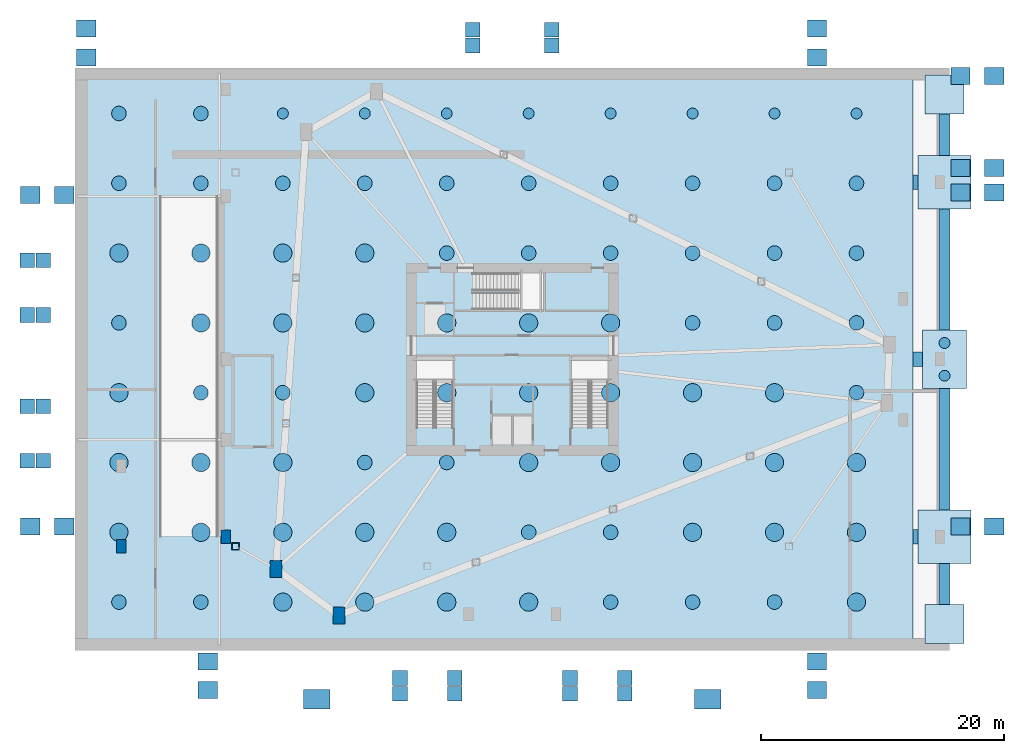
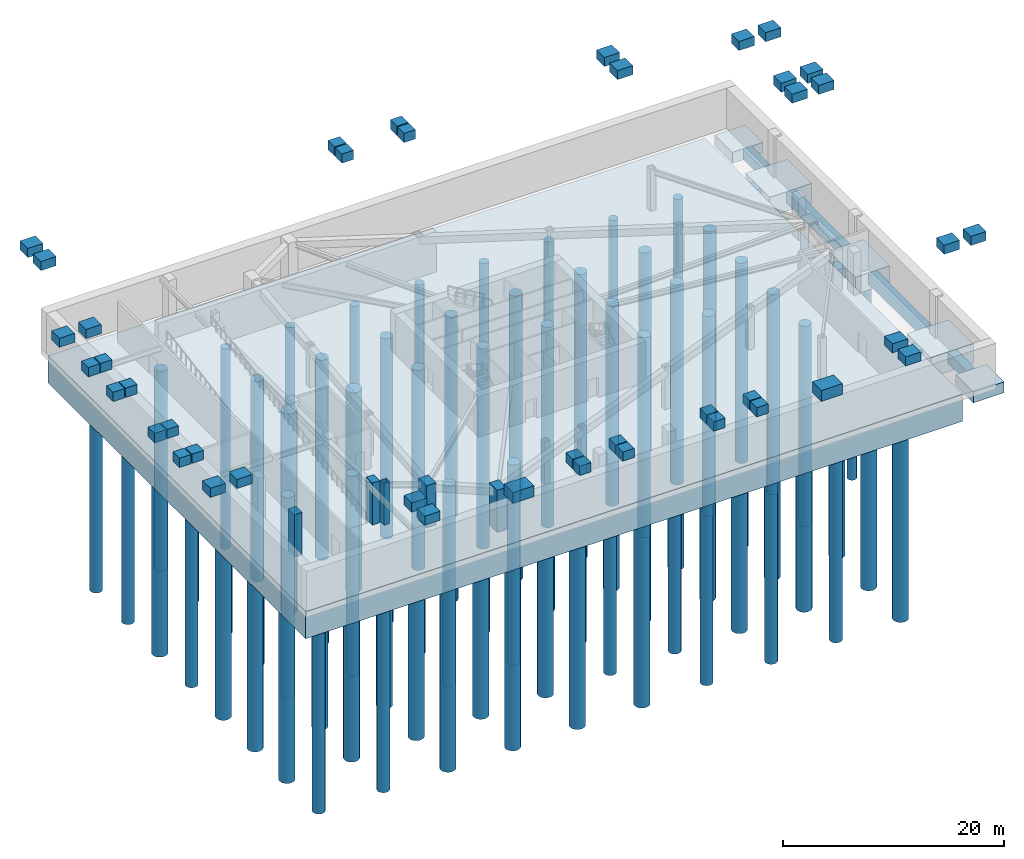
# One storey, part 1 of 9: 82 piles, 55 footings, 5 columns.
"""IFC4 building model written with IfcOpenShell, lengths in metres."""

from ifc_helpers import new_model, si_unit, direction, frame, origin, origin_2d, place, context, subcontext, project, spatial, rectangle, hollow_rectangle, circle, extrude, source, transform, mapped, material, material_profile, profile_set, type_object, element, save


model = new_model("IFC4")

# Units and contexts
model_context = context("Model", 3, precision=1e-05, world=origin(), true_north=direction((0.0, 1.0)))
body_context = subcontext(model_context, "Body", "Model", "MODEL_VIEW")
ifc_project = project(units=[si_unit("LENGTHUNIT", "METRE"), si_unit("AREAUNIT", "SQUARE_METRE"), si_unit("VOLUMEUNIT", "CUBIC_METRE"), si_unit("PLANEANGLEUNIT", "RADIAN"), si_unit("MASSUNIT", "GRAM", prefix="KILO")], contexts=[model_context])

# Site, building, storey
site_placement = place(None, origin())
site = spatial("IfcSite", under=ifc_project, at=site_placement, CompositionType="ELEMENT")
building_placement = place(site_placement, origin())
building = spatial("IfcBuilding", under=site, at=building_placement, Name="Olszyna Solenne Hotel", CompositionType="ELEMENT")
storey_placement = place(building_placement, frame((0.0, 0.0, -9.60009765625)))
storey = spatial("IfcBuildingStorey", under=building, at=storey_placement, Name="B02", CompositionType="ELEMENT", Elevation=-9.60009765625)

# Footings
ifc_material_1 = material(Name="Concrete C50/60", Category="concrete")
footing_type_1 = type_object("IfcFootingType", Name="FT-RAFT1", PredefinedType="PILE_CAP", material=ifc_material_1)
shared_shape_1 = source(origin(), body_context, "Body", "SweptSolid", [
    extrude(rectangle(XDim=68.60009765625, YDim=46.60009765625, at=origin_2d()), origin(), (0.0, 0.0, 1.0), 3.0),
])
footing_1_placement = place(storey_placement, frame((36.699951171875, 26.699951171875, -3.599853515625), z_axis=(0.0, 0.0, 1.0), x_axis=(1.0, 0.0, 0.0)))
element("IfcFooting", 1, at=footing_1_placement, inside=storey, type_object=footing_type_1, Name="Monolithic piled raft mat FT-RAFT1", PredefinedType="PILE_CAP", context=body_context, shape_type="MappedRepresentation", body=[
    mapped(shared_shape_1, transform((0.0, 0.0, 0.0), x_axis=(1.0, 0.0, 0.0), y_axis=(0.0, 1.0, 0.0), z_axis=(0.0, 0.0, 1.0), scale=1.0)),
])
ifc_material_2 = material(Name="Concrete C40/50", Category="concrete")
footing_type_2 = type_object("IfcFootingType", Name="FT-PC2", PredefinedType="PILE_CAP", material=ifc_material_2)
shared_shape_2 = source(origin(), body_context, "Body", "SweptSolid", [
    extrude(rectangle(XDim=3.60009765625, YDim=4.800048828125, at=origin_2d()), origin(), (0.0, 0.0, 1.0), 1.89990234375),
])
footing_2_placement = place(storey_placement, frame((73.60009765625, 26.60009765625, -2.499755859375), z_axis=(0.0, 0.0, 1.0), x_axis=(1.0, 0.0, 0.0)))
element("IfcFooting", 2, at=footing_2_placement, inside=storey, type_object=footing_type_2, Name="East podium 2-pile cap FT-PC2 Center", PredefinedType="PILE_CAP", context=body_context, shape_type="MappedRepresentation", body=[
    mapped(shared_shape_2, transform((0.0, 0.0, 0.0), x_axis=(1.0, 0.0, 0.0), y_axis=(0.0, 1.0, 0.0), z_axis=(0.0, 0.0, 1.0), scale=1.0)),
])
footing_type_3 = type_object("IfcFootingType", Name="FT-PC1", PredefinedType="PILE_CAP", material=ifc_material_2)
shared_shape_3 = source(origin(), body_context, "Body", "SweptSolid", [
    extrude(rectangle(XDim=4.39990234375, YDim=4.39990234375, at=origin_2d()), origin(), (0.0, 0.0, 1.0), 2.199951171875),
])
for number, where, z_axis, x_axis, name in (
    (3, (73.60009765625, 12.0, -2.7998046875), (0.0, 0.0, 1.0), (1.0, 0.0, 0.0), "East podium cap FT-PC1 South"),
    (4, (73.60009765625, 41.199951171875, -2.7998046875), (0.0, 0.0, 1.0), (1.0, 0.0, 0.0), "East podium cap FT-PC1 North"),
):
    element("IfcFooting", number, at=place(storey_placement, frame(where, z_axis=z_axis, x_axis=x_axis)), inside=storey, type_object=footing_type_3, Name=name, PredefinedType="PILE_CAP", context=body_context, shape_type="MappedRepresentation", body=[
        mapped(shared_shape_3, transform((0.0, 0.0, 0.0), x_axis=(1.0, 0.0, 0.0), y_axis=(0.0, 1.0, 0.0), z_axis=(0.0, 0.0, 1.0), scale=1.0)),
    ])
footing_type_4 = type_object("IfcFootingType", Name="FT-PD1", PredefinedType="PAD_FOOTING", material=ifc_material_2)
shared_shape_4 = source(origin(), body_context, "Body", "SweptSolid", [
    extrude(rectangle(XDim=3.199951171875, YDim=3.199951171875, at=origin_2d()), origin(), (0.0, 0.0, 1.0), 1.199951171875),
])
for number, where, z_axis, x_axis, name in (
    (5, (73.60009765625, 4.800048828125, -1.7998046875), (0.0, 0.0, 1.0), (1.0, 0.0, 0.0), "South-East perimeter pad footing FT-PD1"),
    (6, (73.60009765625, 48.39990234375, -1.7998046875), (0.0, 0.0, 1.0), (1.0, 0.0, 0.0), "North-East perimeter pad footing FT-PD1"),
):
    element("IfcFooting", number, at=place(storey_placement, frame(where, z_axis=z_axis, x_axis=x_axis)), inside=storey, type_object=footing_type_4, Name=name, PredefinedType="PAD_FOOTING", context=body_context, shape_type="MappedRepresentation", body=[
        mapped(shared_shape_4, transform((0.0, 0.0, 0.0), x_axis=(1.0, 0.0, 0.0), y_axis=(0.0, 1.0, 0.0), z_axis=(0.0, 0.0, 1.0), scale=1.0)),
    ])
footing_type_5 = type_object("IfcFootingType", Name="FT-GB1", PredefinedType="FOOTING_BEAM", material=ifc_material_2)
shared_shape_5 = source(origin(), body_context, "Body", "SweptSolid", [
    extrude(rectangle(XDim=0.800048828125, YDim=1.199951171875, at=origin_2d()), origin(), (0.0, 0.0, 1.0), 1.39990234375),
])
footing_3_placement = place(storey_placement, frame((71.39990234375, 26.60009765625, -1.999755859375), z_axis=(0.0, 0.0, 1.0), x_axis=(1.0, 0.0, 0.0)))
element("IfcFooting", 7, at=footing_3_placement, inside=storey, type_object=footing_type_5, Name="Primary foundation tie beam FT-GB1", PredefinedType="FOOTING_BEAM", context=body_context, shape_type="MappedRepresentation", body=[
    mapped(shared_shape_5, transform((0.0, 0.0, 0.0), x_axis=(1.0, 0.0, 0.0), y_axis=(0.0, 1.0, 0.0), z_axis=(0.0, 0.0, 1.0), scale=1.0)),
])
shared_shape_6 = source(origin(), body_context, "Body", "SweptSolid", [
    extrude(rectangle(XDim=0.39990234375, YDim=1.199951171875, at=origin_2d()), origin(), (0.0, 0.0, 1.0), 1.39990234375),
])
for number, where, z_axis, x_axis, name in (
    (8, (71.199951171875, 12.0, -1.999755859375), (0.0, 0.0, 1.0), (1.0, 0.0, 0.0), "Primary foundation tie beam FT-GB1"),
    (9, (71.199951171875, 41.199951171875, -1.999755859375), (0.0, 0.0, 1.0), (1.0, 0.0, 0.0), "Primary foundation tie beam FT-GB1"),
):
    element("IfcFooting", number, at=place(storey_placement, frame(where, z_axis=z_axis, x_axis=x_axis)), inside=storey, type_object=footing_type_5, Name=name, PredefinedType="FOOTING_BEAM", context=body_context, shape_type="MappedRepresentation", body=[
        mapped(shared_shape_6, transform((0.0, 0.0, 0.0), x_axis=(1.0, 0.0, 0.0), y_axis=(0.0, 1.0, 0.0), z_axis=(0.0, 0.0, 1.0), scale=1.0)),
    ])
footing_type_6 = type_object("IfcFootingType", Name="FT-GB2", PredefinedType="FOOTING_BEAM", material=ifc_material_2)
shared_shape_7 = source(origin(), body_context, "Body", "SweptSolid", [
    extrude(rectangle(XDim=0.89990234375, YDim=3.39990234375, at=origin_2d()), origin(), (0.0, 0.0, 1.0), 1.199951171875),
])
for number, where, z_axis, x_axis, name in (
    (10, (73.60009765625, 8.10009765625, -1.7998046875), (0.0, 0.0, 1.0), (1.0, 0.0, 0.0), "Perimeter foundation ground beam FT-GB2"),
    (11, (73.60009765625, 45.10009765625, -1.7998046875), (0.0, 0.0, 1.0), (1.0, 0.0, 0.0), "Perimeter foundation ground beam FT-GB2"),
):
    element("IfcFooting", number, at=place(storey_placement, frame(where, z_axis=z_axis, x_axis=x_axis)), inside=storey, type_object=footing_type_6, Name=name, PredefinedType="FOOTING_BEAM", context=body_context, shape_type="MappedRepresentation", body=[
        mapped(shared_shape_7, transform((0.0, 0.0, 0.0), x_axis=(1.0, 0.0, 0.0), y_axis=(0.0, 1.0, 0.0), z_axis=(0.0, 0.0, 1.0), scale=1.0)),
    ])
shared_shape_8 = source(origin(), body_context, "Body", "SweptSolid", [
    extrude(rectangle(XDim=0.89990234375, YDim=10.0, at=origin_2d()), origin(), (0.0, 0.0, 1.0), 1.199951171875),
])
for number, where, z_axis, x_axis, name in (
    (12, (73.60009765625, 19.199951171875, -1.7998046875), (0.0, 0.0, 1.0), (1.0, 0.0, 0.0), "Perimeter foundation ground beam FT-GB2"),
    (13, (73.60009765625, 34.0, -1.7998046875), (0.0, 0.0, 1.0), (1.0, 0.0, 0.0), "Perimeter foundation ground beam FT-GB2"),
):
    element("IfcFooting", number, at=place(storey_placement, frame(where, z_axis=z_axis, x_axis=x_axis)), inside=storey, type_object=footing_type_6, Name=name, PredefinedType="FOOTING_BEAM", context=body_context, shape_type="MappedRepresentation", body=[
        mapped(shared_shape_8, transform((0.0, 0.0, 0.0), x_axis=(1.0, 0.0, 0.0), y_axis=(0.0, 1.0, 0.0), z_axis=(0.0, 0.0, 1.0), scale=1.0)),
    ])

# Piles
ifc_material_profile_1 = material_profile(ifc_material_2, circle(Radius=0.60009765625, at=origin_2d()), Name="BORED PILE 1200", Category="load-bearing")
ifc_profile_set_1 = profile_set([ifc_material_profile_1], Name="Concrete C40/50")
pile_type_1 = type_object("IfcPileType", Name="PL-1200", PredefinedType="BORED", material=ifc_profile_set_1)
shared_shape_9 = source(origin(), body_context, "Body", "SweptSolid", [
    extrude(circle(Radius=0.60009765625, at=origin_2d()), origin(), (0.0, 0.0, 1.0), 22.10009765625),
])
for number, where, z_axis, x_axis, name in (
    (14, (5.60009765625, 6.60009765625, -3.5), (0.0, 0.0, -1.0), (1.0, 0.0, 0.0), "Bored concrete pile PL-1200 P-001"),
    (15, (12.35009765625, 6.60009765625, -3.5), (0.0, 0.0, -1.0), (1.0, 0.0, 0.0), "Bored concrete pile PL-1200 P-002"),
    (16, (46.10009765625, 6.60009765625, -3.5), (0.0, 0.0, -1.0), (1.0, 0.0, 0.0), "Bored concrete pile PL-1200 P-007"),
    (17, (52.85009765625, 6.60009765625, -3.5), (0.0, 0.0, -1.0), (1.0, 0.0, 0.0), "Bored concrete pile PL-1200 P-008"),
    (18, (59.60009765625, 6.60009765625, -3.5), (0.0, 0.0, -1.0), (1.0, 0.0, 0.0), "Bored concrete pile PL-1200 P-009"),
    (19, (39.35009765625, 12.35009765625, -3.5), (0.0, 0.0, -1.0), (1.0, 0.0, 0.0), "Bored concrete pile PL-1200 P-016"),
    (20, (46.10009765625, 12.35009765625, -3.5), (0.0, 0.0, -1.0), (1.0, 0.0, 0.0), "Bored concrete pile PL-1200 P-017"),
    (21, (25.85009765625, 18.10009765625, -3.5), (0.0, 0.0, -1.0), (1.0, 0.0, 0.0), "Bored concrete pile PL-1200 P-024"),
    (22, (32.60009765625, 18.10009765625, -3.5), (0.0, 0.0, -1.0), (1.0, 0.0, 0.0), "Bored concrete pile PL-1200 P-025"),
    (23, (12.35009765625, 23.85009765625, -3.5), (0.0, 0.0, -1.0), (1.0, 0.0, 0.0), "Bored concrete pile PL-1200 P-032"),
    (24, (19.10009765625, 23.85009765625, -3.5), (0.0, 0.0, -1.0), (1.0, 0.0, 0.0), "Bored concrete pile PL-1200 P-033"),
    (25, (66.35009765625, 23.85009765625, -3.5), (0.0, 0.0, -1.0), (1.0, 0.0, 0.0), "Bored concrete pile PL-1200 P-040"),
    (26, (5.60009765625, 29.60009765625, -3.5), (0.0, 0.0, -1.0), (1.0, 0.0, 0.0), "Bored concrete pile PL-1200 P-041"),
    (27, (52.85009765625, 29.60009765625, -3.5), (0.0, 0.0, -1.0), (1.0, 0.0, 0.0), "Bored concrete pile PL-1200 P-048"),
    (28, (59.60009765625, 29.60009765625, -3.5), (0.0, 0.0, -1.0), (1.0, 0.0, 0.0), "Bored concrete pile PL-1200 P-049"),
    (29, (66.35009765625, 29.60009765625, -3.5), (0.0, 0.0, -1.0), (1.0, 0.0, 0.0), "Bored concrete pile PL-1200 P-050"),
    (30, (32.60009765625, 35.35009765625, -3.5), (0.0, 0.0, -1.0), (1.0, 0.0, 0.0), "Bored concrete pile PL-1200 P-055"),
    (31, (39.35009765625, 35.35009765625, -3.5), (0.0, 0.0, -1.0), (1.0, 0.0, 0.0), "Bored concrete pile PL-1200 P-056"),
    (32, (46.10009765625, 35.35009765625, -3.5), (0.0, 0.0, -1.0), (1.0, 0.0, 0.0), "Bored concrete pile PL-1200 P-057"),
    (33, (52.85009765625, 35.35009765625, -3.5), (0.0, 0.0, -1.0), (1.0, 0.0, 0.0), "Bored concrete pile PL-1200 P-058"),
    (34, (59.60009765625, 35.35009765625, -3.5), (0.0, 0.0, -1.0), (1.0, 0.0, 0.0), "Bored concrete pile PL-1200 P-059"),
    (35, (66.35009765625, 35.35009765625, -3.5), (0.0, 0.0, -1.0), (1.0, 0.0, 0.0), "Bored concrete pile PL-1200 P-060"),
    (36, (5.60009765625, 41.10009765625, -3.5), (0.0, 0.0, -1.0), (1.0, 0.0, 0.0), "Bored concrete pile PL-1200 P-061"),
    (37, (12.35009765625, 41.10009765625, -3.5), (0.0, 0.0, -1.0), (1.0, 0.0, 0.0), "Bored concrete pile PL-1200 P-062"),
    (38, (19.10009765625, 41.10009765625, -3.5), (0.0, 0.0, -1.0), (1.0, 0.0, 0.0), "Bored concrete pile PL-1200 P-063"),
    (39, (25.85009765625, 41.10009765625, -3.5), (0.0, 0.0, -1.0), (1.0, 0.0, 0.0), "Bored concrete pile PL-1200 P-064"),
    (40, (32.60009765625, 41.10009765625, -3.5), (0.0, 0.0, -1.0), (1.0, 0.0, 0.0), "Bored concrete pile PL-1200 P-065"),
    (41, (39.35009765625, 41.10009765625, -3.5), (0.0, 0.0, -1.0), (1.0, 0.0, 0.0), "Bored concrete pile PL-1200 P-066"),
    (42, (46.10009765625, 41.10009765625, -3.5), (0.0, 0.0, -1.0), (1.0, 0.0, 0.0), "Bored concrete pile PL-1200 P-067"),
    (43, (52.85009765625, 41.10009765625, -3.5), (0.0, 0.0, -1.0), (1.0, 0.0, 0.0), "Bored concrete pile PL-1200 P-068"),
    (44, (59.60009765625, 41.10009765625, -3.5), (0.0, 0.0, -1.0), (1.0, 0.0, 0.0), "Bored concrete pile PL-1200 P-069"),
    (45, (66.35009765625, 41.10009765625, -3.5), (0.0, 0.0, -1.0), (1.0, 0.0, 0.0), "Bored concrete pile PL-1200 P-070"),
    (46, (5.60009765625, 46.85009765625, -3.5), (0.0, 0.0, -1.0), (1.0, 0.0, 0.0), "Bored concrete pile PL-1200 P-071"),
    (47, (12.35009765625, 46.85009765625, -3.5), (0.0, 0.0, -1.0), (1.0, 0.0, 0.0), "Bored concrete pile PL-1200 P-072"),
):
    element("IfcPile", number, at=place(storey_placement, frame(where, z_axis=z_axis, x_axis=x_axis)), inside=storey, type_object=pile_type_1, Name=name, PredefinedType="BORED", context=body_context, shape_type="MappedRepresentation", body=[
        mapped(shared_shape_9, transform((0.0, 0.0, 0.0), x_axis=(1.0, 0.0, 0.0), y_axis=(0.0, 1.0, 0.0), z_axis=(0.0, 0.0, 1.0), scale=1.0)),
    ])
ifc_material_profile_2 = material_profile(ifc_material_2, circle(Radius=0.75, at=origin_2d()), Name="BORED PILE 1500", Category="load-bearing")
ifc_profile_set_2 = profile_set([ifc_material_profile_2], Name="Concrete C40/50")
pile_type_2 = type_object("IfcPileType", Name="PL-1500", PredefinedType="BORED", material=ifc_profile_set_2)
shared_shape_10 = source(origin(), body_context, "Body", "SweptSolid", [
    extrude(circle(Radius=0.75, at=origin_2d()), origin(), (0.0, 0.0, 1.0), 22.10009765625),
])
for number, where, z_axis, x_axis, name in (
    (48, (19.10009765625, 6.60009765625, -3.5), (0.0, 0.0, -1.0), (1.0, 0.0, 0.0), "Bored concrete pile PL-1500 P-003"),
    (49, (25.85009765625, 6.60009765625, -3.5), (0.0, 0.0, -1.0), (1.0, 0.0, 0.0), "Bored concrete pile PL-1500 P-004"),
    (50, (32.60009765625, 6.60009765625, -3.5), (0.0, 0.0, -1.0), (1.0, 0.0, 0.0), "Bored concrete pile PL-1500 P-005"),
    (51, (39.35009765625, 6.60009765625, -3.5), (0.0, 0.0, -1.0), (1.0, 0.0, 0.0), "Bored concrete pile PL-1500 P-006"),
    (52, (66.35009765625, 6.60009765625, -3.5), (0.0, 0.0, -1.0), (1.0, 0.0, 0.0), "Bored concrete pile PL-1500 P-010"),
    (53, (5.60009765625, 12.35009765625, -3.5), (0.0, 0.0, -1.0), (1.0, 0.0, 0.0), "Bored concrete pile PL-1500 P-011"),
    (54, (12.35009765625, 12.35009765625, -3.5), (0.0, 0.0, -1.0), (1.0, 0.0, 0.0), "Bored concrete pile PL-1500 P-012"),
    (55, (19.10009765625, 12.35009765625, -3.5), (0.0, 0.0, -1.0), (1.0, 0.0, 0.0), "Bored concrete pile PL-1500 P-013"),
    (56, (25.85009765625, 12.35009765625, -3.5), (0.0, 0.0, -1.0), (1.0, 0.0, 0.0), "Bored concrete pile PL-1500 P-014"),
    (57, (32.60009765625, 12.35009765625, -3.5), (0.0, 0.0, -1.0), (1.0, 0.0, 0.0), "Bored concrete pile PL-1500 P-015"),
    (58, (52.85009765625, 12.35009765625, -3.5), (0.0, 0.0, -1.0), (1.0, 0.0, 0.0), "Bored concrete pile PL-1500 P-018"),
    (59, (59.60009765625, 12.35009765625, -3.5), (0.0, 0.0, -1.0), (1.0, 0.0, 0.0), "Bored concrete pile PL-1500 P-019"),
    (60, (66.35009765625, 12.35009765625, -3.5), (0.0, 0.0, -1.0), (1.0, 0.0, 0.0), "Bored concrete pile PL-1500 P-020"),
    (61, (5.60009765625, 18.10009765625, -3.5), (0.0, 0.0, -1.0), (1.0, 0.0, 0.0), "Bored concrete pile PL-1500 P-021"),
    (62, (12.35009765625, 18.10009765625, -3.5), (0.0, 0.0, -1.0), (1.0, 0.0, 0.0), "Bored concrete pile PL-1500 P-022"),
    (63, (19.10009765625, 18.10009765625, -3.5), (0.0, 0.0, -1.0), (1.0, 0.0, 0.0), "Bored concrete pile PL-1500 P-023"),
    (64, (39.35009765625, 18.10009765625, -3.5), (0.0, 0.0, -1.0), (1.0, 0.0, 0.0), "Bored concrete pile PL-1500 P-026"),
    (65, (46.10009765625, 18.10009765625, -3.5), (0.0, 0.0, -1.0), (1.0, 0.0, 0.0), "Bored concrete pile PL-1500 P-027"),
    (66, (52.85009765625, 18.10009765625, -3.5), (0.0, 0.0, -1.0), (1.0, 0.0, 0.0), "Bored concrete pile PL-1500 P-028"),
    (67, (59.60009765625, 18.10009765625, -3.5), (0.0, 0.0, -1.0), (1.0, 0.0, 0.0), "Bored concrete pile PL-1500 P-029"),
    (68, (66.35009765625, 18.10009765625, -3.5), (0.0, 0.0, -1.0), (1.0, 0.0, 0.0), "Bored concrete pile PL-1500 P-030"),
    (69, (5.60009765625, 23.85009765625, -3.5), (0.0, 0.0, -1.0), (1.0, 0.0, 0.0), "Bored concrete pile PL-1500 P-031"),
    (70, (25.85009765625, 23.85009765625, -3.5), (0.0, 0.0, -1.0), (1.0, 0.0, 0.0), "Bored concrete pile PL-1500 P-034"),
    (71, (32.60009765625, 23.85009765625, -3.5), (0.0, 0.0, -1.0), (1.0, 0.0, 0.0), "Bored concrete pile PL-1500 P-035"),
    (72, (39.35009765625, 23.85009765625, -3.5), (0.0, 0.0, -1.0), (1.0, 0.0, 0.0), "Bored concrete pile PL-1500 P-036"),
    (73, (46.10009765625, 23.85009765625, -3.5), (0.0, 0.0, -1.0), (1.0, 0.0, 0.0), "Bored concrete pile PL-1500 P-037"),
    (74, (52.85009765625, 23.85009765625, -3.5), (0.0, 0.0, -1.0), (1.0, 0.0, 0.0), "Bored concrete pile PL-1500 P-038"),
    (75, (59.60009765625, 23.85009765625, -3.5), (0.0, 0.0, -1.0), (1.0, 0.0, 0.0), "Bored concrete pile PL-1500 P-039"),
    (76, (12.35009765625, 29.60009765625, -3.5), (0.0, 0.0, -1.0), (1.0, 0.0, 0.0), "Bored concrete pile PL-1500 P-042"),
    (77, (19.10009765625, 29.60009765625, -3.5), (0.0, 0.0, -1.0), (1.0, 0.0, 0.0), "Bored concrete pile PL-1500 P-043"),
    (78, (25.85009765625, 29.60009765625, -3.5), (0.0, 0.0, -1.0), (1.0, 0.0, 0.0), "Bored concrete pile PL-1500 P-044"),
    (79, (32.60009765625, 29.60009765625, -3.5), (0.0, 0.0, -1.0), (1.0, 0.0, 0.0), "Bored concrete pile PL-1500 P-045"),
    (80, (39.35009765625, 29.60009765625, -3.5), (0.0, 0.0, -1.0), (1.0, 0.0, 0.0), "Bored concrete pile PL-1500 P-046"),
    (81, (46.10009765625, 29.60009765625, -3.5), (0.0, 0.0, -1.0), (1.0, 0.0, 0.0), "Bored concrete pile PL-1500 P-047"),
    (82, (5.60009765625, 35.35009765625, -3.5), (0.0, 0.0, -1.0), (1.0, 0.0, 0.0), "Bored concrete pile PL-1500 P-051"),
    (83, (12.35009765625, 35.35009765625, -3.5), (0.0, 0.0, -1.0), (1.0, 0.0, 0.0), "Bored concrete pile PL-1500 P-052"),
    (84, (19.10009765625, 35.35009765625, -3.5), (0.0, 0.0, -1.0), (1.0, 0.0, 0.0), "Bored concrete pile PL-1500 P-053"),
    (85, (25.85009765625, 35.35009765625, -3.5), (0.0, 0.0, -1.0), (1.0, 0.0, 0.0), "Bored concrete pile PL-1500 P-054"),
):
    element("IfcPile", number, at=place(storey_placement, frame(where, z_axis=z_axis, x_axis=x_axis)), inside=storey, type_object=pile_type_2, Name=name, PredefinedType="BORED", context=body_context, shape_type="MappedRepresentation", body=[
        mapped(shared_shape_10, transform((0.0, 0.0, 0.0), x_axis=(1.0, 0.0, 0.0), y_axis=(0.0, 1.0, 0.0), z_axis=(0.0, 0.0, 1.0), scale=1.0)),
    ])
ifc_material_profile_3 = material_profile(ifc_material_2, circle(Radius=0.449951171875, at=origin_2d()), Name="BORED PILE 900", Category="load-bearing")
ifc_profile_set_3 = profile_set([ifc_material_profile_3], Name="Concrete C40/50")
pile_type_3 = type_object("IfcPileType", Name="PL-900", PredefinedType="BORED", material=ifc_profile_set_3)
shared_shape_11 = source(origin(), body_context, "Body", "SweptSolid", [
    extrude(circle(Radius=0.449951171875, at=origin_2d()), origin(), (0.0, 0.0, 1.0), 22.10009765625),
])
for number, where, z_axis, x_axis, name in (
    (86, (19.10009765625, 46.85009765625, -3.5), (0.0, 0.0, -1.0), (1.0, 0.0, 0.0), "Bored concrete pile PL-900 P-073"),
    (87, (25.85009765625, 46.85009765625, -3.5), (0.0, 0.0, -1.0), (1.0, 0.0, 0.0), "Bored concrete pile PL-900 P-074"),
    (88, (32.60009765625, 46.85009765625, -3.5), (0.0, 0.0, -1.0), (1.0, 0.0, 0.0), "Bored concrete pile PL-900 P-075"),
    (89, (39.35009765625, 46.85009765625, -3.5), (0.0, 0.0, -1.0), (1.0, 0.0, 0.0), "Bored concrete pile PL-900 P-076"),
    (90, (46.10009765625, 46.85009765625, -3.5), (0.0, 0.0, -1.0), (1.0, 0.0, 0.0), "Bored concrete pile PL-900 P-077"),
    (91, (52.85009765625, 46.85009765625, -3.5), (0.0, 0.0, -1.0), (1.0, 0.0, 0.0), "Bored concrete pile PL-900 P-078"),
    (92, (59.60009765625, 46.85009765625, -3.5), (0.0, 0.0, -1.0), (1.0, 0.0, 0.0), "Bored concrete pile PL-900 P-079"),
    (93, (66.35009765625, 46.85009765625, -3.5), (0.0, 0.0, -1.0), (1.0, 0.0, 0.0), "Bored concrete pile PL-900 P-080"),
):
    element("IfcPile", number, at=place(storey_placement, frame(where, z_axis=z_axis, x_axis=x_axis)), inside=storey, type_object=pile_type_3, Name=name, PredefinedType="BORED", context=body_context, shape_type="MappedRepresentation", body=[
        mapped(shared_shape_11, transform((0.0, 0.0, 0.0), x_axis=(1.0, 0.0, 0.0), y_axis=(0.0, 1.0, 0.0), z_axis=(0.0, 0.0, 1.0), scale=1.0)),
    ])
shared_shape_12 = source(origin(), body_context, "Body", "SweptSolid", [
    extrude(circle(Radius=0.449951171875, at=origin_2d()), origin(), (0.0, 0.0, 1.0), 23.199951171875),
])
for number, where, z_axis, x_axis, name in (
    (94, (73.60009765625, 25.25, -2.39990234375), (0.0, 0.0, -1.0), (1.0, 0.0, 0.0), "Bored concrete pile PL-900 P-081"),
    (95, (73.60009765625, 27.949951171875, -2.39990234375), (0.0, 0.0, -1.0), (1.0, 0.0, 0.0), "Bored concrete pile PL-900 P-082"),
):
    element("IfcPile", number, at=place(storey_placement, frame(where, z_axis=z_axis, x_axis=x_axis)), inside=storey, type_object=pile_type_3, Name=name, PredefinedType="BORED", context=body_context, shape_type="MappedRepresentation", body=[
        mapped(shared_shape_12, transform((0.0, 0.0, 0.0), x_axis=(1.0, 0.0, 0.0), y_axis=(0.0, 1.0, 0.0), z_axis=(0.0, 0.0, 1.0), scale=1.0)),
    ])

# Footings
footing_type_7 = type_object("IfcFootingType", Name="FT-PD2", PredefinedType="PAD_FOOTING", material=ifc_material_2)
shared_shape_13 = source(origin(), body_context, "Body", "SweptSolid", [
    extrude(rectangle(XDim=2.199951171875, YDim=1.60009765625, at=origin_2d()), origin(), (0.0, 0.0, 1.0), 1.199951171875),
])
for number, where, z_axis, x_axis, name in (
    (96, (21.89990234375, -1.39990234375, 8.2802734375), (0.0, 0.0, 1.0), (1.0, 0.0, 0.0), "Ramp RFL-P01 toe pad footing"),
    (97, (54.10009765625, -1.39990234375, 8.2802734375), (0.0, 0.0, 1.0), (1.0, 0.0, 0.0), "Ramp RFL-P02 toe pad footing"),
):
    element("IfcFooting", number, at=place(storey_placement, frame(where, z_axis=z_axis, x_axis=x_axis)), inside=storey, type_object=footing_type_7, Name=name, PredefinedType="PAD_FOOTING", context=body_context, shape_type="MappedRepresentation", body=[
        mapped(shared_shape_13, transform((0.0, 0.0, 0.0), x_axis=(1.0, 0.0, 0.0), y_axis=(0.0, 1.0, 0.0), z_axis=(0.0, 0.0, 1.0), scale=1.0)),
    ])
shared_shape_14 = source(origin(), body_context, "Body", "SweptSolid", [
    extrude(rectangle(XDim=1.60009765625, YDim=1.39990234375, at=origin_2d()), origin(), (0.0, 0.0, 1.0), 1.0),
])
for number, where, z_axis, x_axis, name in (
    (98, (74.919921875, 42.35009765625, 8.420166015625), (0.0, 0.0, 1.0), (1.0, 0.0, 0.0), "Plaza grade pad footing SL-L00-PV1"),
    (99, (74.919921875, 49.949951171875, 8.420166015625), (0.0, 0.0, 1.0), (1.0, 0.0, 0.0), "Plaza grade pad footing SL-L00-PV1"),
    (100, (77.699951171875, 42.35009765625, 8.420166015625), (0.0, 0.0, 1.0), (1.0, 0.0, 0.0), "Plaza grade pad footing SL-L00-PV1"),
    (101, (77.699951171875, 49.949951171875, 8.420166015625), (0.0, 0.0, 1.0), (1.0, 0.0, 0.0), "Plaza grade pad footing SL-L00-PV1"),
    (102, (12.89990234375, -0.64990234375, 8.420166015625), (0.0, 0.0, 1.0), (1.0, 0.0, 0.0), "Plaza grade pad footing SL-L00-PV2"),
    (103, (12.89990234375, 1.72998046875, 8.420166015625), (0.0, 0.0, 1.0), (1.0, 0.0, 0.0), "Plaza grade pad footing SL-L00-PV2"),
    (104, (63.10009765625, -0.64990234375, 8.420166015625), (0.0, 0.0, 1.0), (1.0, 0.0, 0.0), "Plaza grade pad footing SL-L00-PV2"),
    (105, (63.10009765625, 1.72998046875, 8.420166015625), (0.0, 0.0, 1.0), (1.0, 0.0, 0.0), "Plaza grade pad footing SL-L00-PV2"),
    (106, (2.89990234375, 51.469970703125, 8.420166015625), (0.0, 0.0, 1.0), (1.0, 0.0, 0.0), "Plaza grade pad footing SL-L00-PV3"),
    (107, (2.89990234375, 53.85009765625, 8.420166015625), (0.0, 0.0, 1.0), (1.0, 0.0, 0.0), "Plaza grade pad footing SL-L00-PV3"),
    (108, (63.10009765625, 51.469970703125, 8.420166015625), (0.0, 0.0, 1.0), (1.0, 0.0, 0.0), "Plaza grade pad footing SL-L00-PV3"),
    (109, (63.10009765625, 53.85009765625, 8.420166015625), (0.0, 0.0, 1.0), (1.0, 0.0, 0.0), "Plaza grade pad footing SL-L00-PV3"),
    (110, (-1.699951171875, 12.85009765625, 8.420166015625), (0.0, 0.0, 1.0), (1.0, 0.0, 0.0), "Plaza grade pad footing SL-L00-PV4"),
    (111, (-1.699951171875, 40.14990234375, 8.420166015625), (0.0, 0.0, 1.0), (1.0, 0.0, 0.0), "Plaza grade pad footing SL-L00-PV4"),
    (112, (1.080078125, 12.85009765625, 8.420166015625), (0.0, 0.0, 1.0), (1.0, 0.0, 0.0), "Plaza grade pad footing SL-L00-PV4"),
    (113, (1.080078125, 40.14990234375, 8.420166015625), (0.0, 0.0, 1.0), (1.0, 0.0, 0.0), "Plaza grade pad footing SL-L00-PV4"),
    (114, (74.919921875, 12.85009765625, 8.420166015625), (0.0, 0.0, 1.0), (1.0, 0.0, 0.0), "Plaza grade pad footing SL-L00-PV5"),
    (115, (74.919921875, 40.35009765625, 8.420166015625), (0.0, 0.0, 1.0), (1.0, 0.0, 0.0), "Plaza grade pad footing SL-L00-PV5"),
    (116, (77.699951171875, 12.85009765625, 8.420166015625), (0.0, 0.0, 1.0), (1.0, 0.0, 0.0), "Plaza grade pad footing SL-L00-PV5"),
    (117, (77.699951171875, 40.35009765625, 8.420166015625), (0.0, 0.0, 1.0), (1.0, 0.0, 0.0), "Plaza grade pad footing SL-L00-PV5"),
):
    element("IfcFooting", number, at=place(storey_placement, frame(where, z_axis=z_axis, x_axis=x_axis)), inside=storey, type_object=footing_type_7, Name=name, PredefinedType="PAD_FOOTING", context=body_context, shape_type="MappedRepresentation", body=[
        mapped(shared_shape_14, transform((0.0, 0.0, 0.0), x_axis=(1.0, 0.0, 0.0), y_axis=(0.0, 1.0, 0.0), z_axis=(0.0, 0.0, 1.0), scale=1.0)),
    ])
shared_shape_15 = source(origin(), body_context, "Body", "SweptSolid", [
    extrude(rectangle(XDim=1.199951171875, YDim=1.199951171875, at=origin_2d()), origin(), (0.0, 0.0, 1.0), 1.02001953125),
])
for number, where, z_axis, x_axis, name in (
    (118, (28.75, -0.949951171875, 8.400146484375), (0.0, 0.0, 1.0), (1.0, 0.0, 0.0), "Canopy column footing CN-S1-1"),
    (119, (33.25, -0.949951171875, 8.400146484375), (0.0, 0.0, 1.0), (1.0, 0.0, 0.0), "Canopy column footing CN-S1-2"),
    (120, (33.25, 0.35009765625, 8.400146484375), (0.0, 0.0, 1.0), (1.0, 0.0, 0.0), "Canopy column footing CN-S1-3"),
    (121, (28.75, 0.35009765625, 8.400146484375), (0.0, 0.0, 1.0), (1.0, 0.0, 0.0), "Canopy column footing CN-S1-4"),
    (122, (42.75, -0.949951171875, 8.400146484375), (0.0, 0.0, 1.0), (1.0, 0.0, 0.0), "Canopy column footing CN-S2-1"),
    (123, (47.25, -0.949951171875, 8.400146484375), (0.0, 0.0, 1.0), (1.0, 0.0, 0.0), "Canopy column footing CN-S2-2"),
    (124, (47.25, 0.35009765625, 8.400146484375), (0.0, 0.0, 1.0), (1.0, 0.0, 0.0), "Canopy column footing CN-S2-3"),
    (125, (42.75, 0.35009765625, 8.400146484375), (0.0, 0.0, 1.0), (1.0, 0.0, 0.0), "Canopy column footing CN-S2-4"),
    (126, (34.75, 52.449951171875, 8.400146484375), (0.0, 0.0, 1.0), (1.0, 0.0, 0.0), "Canopy column footing CN-N1-1"),
    (127, (41.25, 52.449951171875, 8.400146484375), (0.0, 0.0, 1.0), (1.0, 0.0, 0.0), "Canopy column footing CN-N1-2"),
    (128, (41.25, 53.75, 8.400146484375), (0.0, 0.0, 1.0), (1.0, 0.0, 0.0), "Canopy column footing CN-N1-3"),
    (129, (34.75, 53.75, 8.400146484375), (0.0, 0.0, 1.0), (1.0, 0.0, 0.0), "Canopy column footing CN-N1-4"),
    (130, (-1.949951171875, 18.25, 8.400146484375), (0.0, 0.0, 1.0), (1.0, 0.0, 0.0), "Canopy column footing CN-W1-1"),
    (131, (-0.64990234375, 18.25, 8.400146484375), (0.0, 0.0, 1.0), (1.0, 0.0, 0.0), "Canopy column footing CN-W1-2"),
    (132, (-0.64990234375, 22.75, 8.400146484375), (0.0, 0.0, 1.0), (1.0, 0.0, 0.0), "Canopy column footing CN-W1-3"),
    (133, (-1.949951171875, 22.75, 8.400146484375), (0.0, 0.0, 1.0), (1.0, 0.0, 0.0), "Canopy column footing CN-W1-4"),
    (134, (-1.949951171875, 30.25, 8.400146484375), (0.0, 0.0, 1.0), (1.0, 0.0, 0.0), "Canopy column footing CN-W2-1"),
    (135, (-0.64990234375, 30.25, 8.400146484375), (0.0, 0.0, 1.0), (1.0, 0.0, 0.0), "Canopy column footing CN-W2-2"),
    (136, (-0.64990234375, 34.75, 8.400146484375), (0.0, 0.0, 1.0), (1.0, 0.0, 0.0), "Canopy column footing CN-W2-3"),
    (137, (-1.949951171875, 34.75, 8.400146484375), (0.0, 0.0, 1.0), (1.0, 0.0, 0.0), "Canopy column footing CN-W2-4"),
):
    element("IfcFooting", number, at=place(storey_placement, frame(where, z_axis=z_axis, x_axis=x_axis)), inside=storey, type_object=footing_type_7, Name=name, PredefinedType="PAD_FOOTING", context=body_context, shape_type="MappedRepresentation", body=[
        mapped(shared_shape_15, transform((0.0, 0.0, 0.0), x_axis=(1.0, 0.0, 0.0), y_axis=(0.0, 1.0, 0.0), z_axis=(0.0, 0.0, 1.0), scale=1.0)),
    ])

# Columns
ifc_material_3 = material(Name="Concrete C60/75", Category="concrete")
ifc_material_profile_4 = material_profile(ifc_material_3, rectangle(XDim=1.0, YDim=1.39990234375, at=origin_2d()), Name="RC 1400x1000", Category="load-bearing")
ifc_profile_set_4 = profile_set([ifc_material_profile_4], Name="Concrete C60/75")
column_type_1 = type_object("IfcColumnType", Name="COL-P1", PredefinedType="COLUMN", material=ifc_profile_set_4)
shared_shape_16 = source(origin(), body_context, "Body", "SweptSolid", [
    extrude(rectangle(XDim=1.0, YDim=1.39990234375, at=origin_2d()), origin(), (0.0, 0.0, 1.0), 4.635009765625),
])
for number, where, z_axis, x_axis, name in (
    (138, (18.53173828125, 9.34130859375, 0.0), (0.0, 0.0, 1.0), (1.0, 0.0, 0.0), "Podium mega-column COL-P1 C-B02-P1-05"),
    (139, (23.71435546875, 5.520263671875, 0.0), (0.0, 0.0, 1.0), (1.0, 0.0, 0.0), "Podium mega-column COL-P1 C-B02-P1-06"),
):
    element("IfcColumn", number, at=place(storey_placement, frame(where, z_axis=z_axis, x_axis=x_axis)), inside=storey, type_object=column_type_1, Name=name, PredefinedType="COLUMN", context=body_context, shape_type="MappedRepresentation", body=[
        mapped(shared_shape_16, transform((0.0, 0.0, 0.0), x_axis=(1.0, 0.0, 0.0), y_axis=(0.0, 1.0, 0.0), z_axis=(0.0, 0.0, 1.0), scale=1.0)),
    ])
ifc_material_4 = material(Name="Steel S460M", Category="steel")
ifc_material_profile_5 = material_profile(ifc_material_4, hollow_rectangle(XDim=0.60009765625, YDim=0.60009765625, WallThickness=0.034912109375, at=origin_2d()), Name="SHS 600x600x35", Category="load-bearing")
ifc_profile_set_5 = profile_set([ifc_material_profile_5], Name="Steel S460M")
column_type_2 = type_object("IfcColumnType", Name="COL-P2", PredefinedType="COLUMN", material=ifc_profile_set_5)
shared_shape_17 = source(origin(), body_context, "Body", "SweptSolid", [
    extrude(hollow_rectangle(XDim=0.60009765625, YDim=0.60009765625, WallThickness=0.034912109375, at=origin_2d()), origin(), (0.0, 0.0, 1.0), 4.635009765625),
])
column_placement = place(storey_placement, frame((15.199951171875, 11.199951171875, 0.0), z_axis=(0.0, 0.0, 1.0), x_axis=(1.0, 0.0, 0.0)))
element("IfcColumn", 140, at=column_placement, inside=storey, type_object=column_type_2, Name="Podium mega-column COL-P2 C-B02-P2-01", PredefinedType="COLUMN", context=body_context, shape_type="MappedRepresentation", body=[
    mapped(shared_shape_17, transform((0.0, 0.0, 0.0), x_axis=(1.0, 0.0, 0.0), y_axis=(0.0, 1.0, 0.0), z_axis=(0.0, 0.0, 1.0), scale=1.0)),
])
ifc_material_profile_6 = material_profile(ifc_material_1, rectangle(XDim=0.800048828125, YDim=1.10009765625, at=origin_2d()), Name="RC 1100x800", Category="load-bearing")
ifc_profile_set_6 = profile_set([ifc_material_profile_6], Name="Concrete C50/60")
column_type_3 = type_object("IfcColumnType", Name="COL-B1", PredefinedType="COLUMN", material=ifc_profile_set_6)
shared_shape_18 = source(origin(), body_context, "Body", "SweptSolid", [
    extrude(rectangle(XDim=0.800048828125, YDim=1.10009765625, at=origin_2d()), origin(), (0.0, 0.0, 1.0), 4.635009765625),
])
for number, where, z_axis, x_axis, name in (
    (141, (14.39990234375, 12.0, 0.0), (0.0, 0.0, 1.0), (1.0, 0.0, 0.0), "Basement perimeter column COL-B1 C-B02-B1-01"),
    (142, (5.800048828125, 11.199951171875, 0.0), (0.0, 0.0, 1.0), (1.0, 0.0, 0.0), "Terrace support RC column COL-B1 C-B02-TC-030"),
):
    element("IfcColumn", number, at=place(storey_placement, frame(where, z_axis=z_axis, x_axis=x_axis)), inside=storey, type_object=column_type_3, Name=name, PredefinedType="COLUMN", context=body_context, shape_type="MappedRepresentation", body=[
        mapped(shared_shape_18, transform((0.0, 0.0, 0.0), x_axis=(1.0, 0.0, 0.0), y_axis=(0.0, 1.0, 0.0), z_axis=(0.0, 0.0, 1.0), scale=1.0)),
    ])

save(model, "model.ifc")
